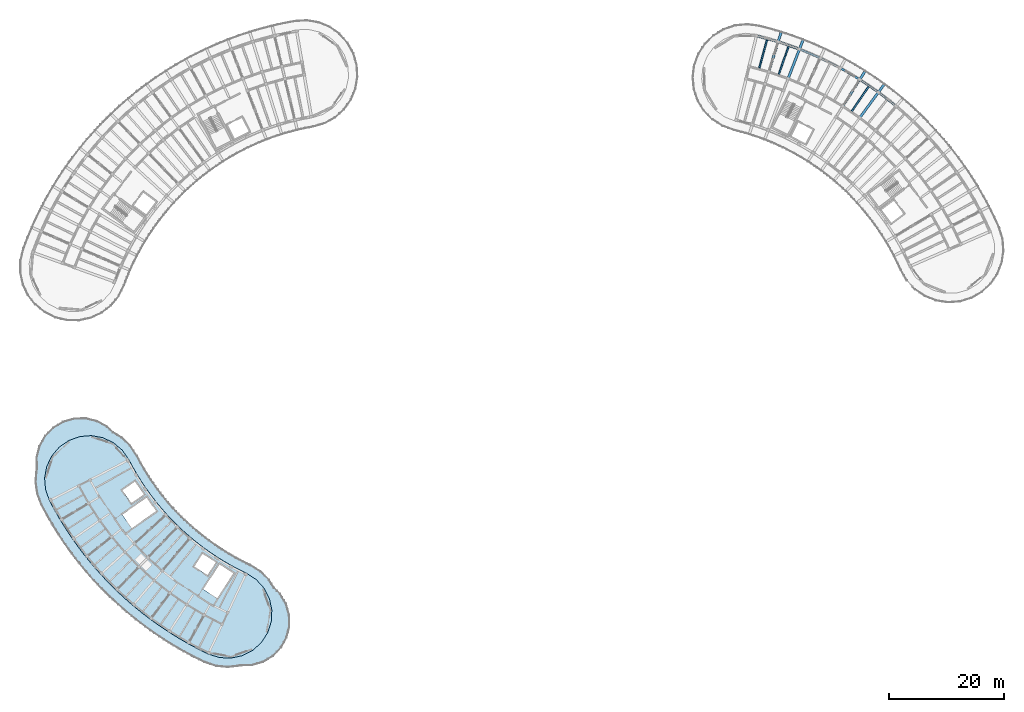
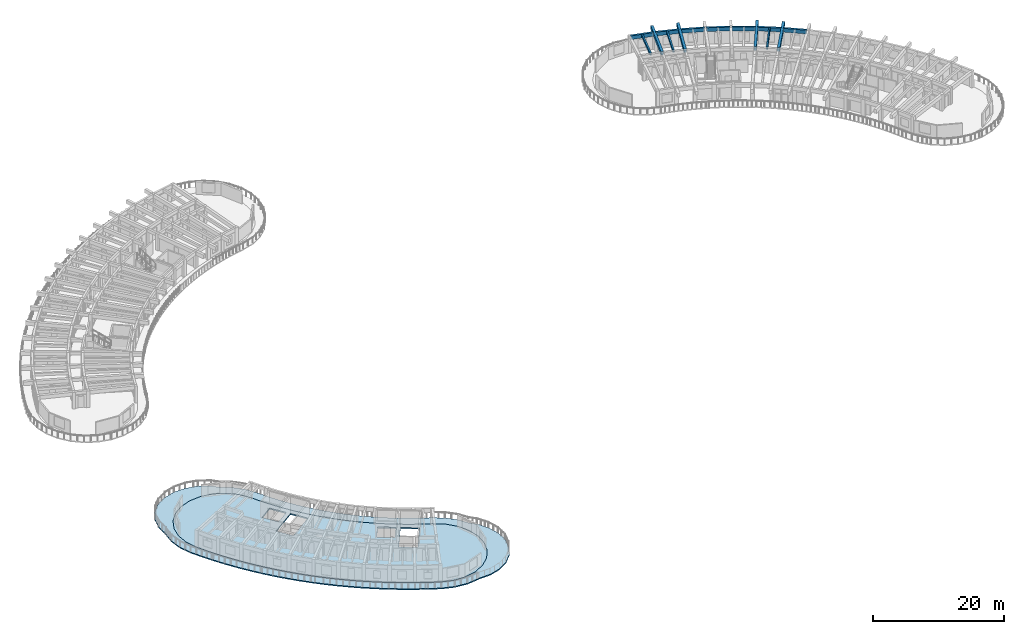
# One storey, part 11 of 41: 14 beams, 2 slabs.
"""IFC4 building model written with IfcOpenShell, lengths in metres."""

from ifc_helpers import new_model, si_unit, direction, frame, origin, origin_2d, place, context, subcontext, project, spatial, polyline, rectangle, outline, extrude, material, layer, layer_set, material_profile, profile_set, type_object, element, save


model = new_model("IFC4")

# Units and contexts
model_context = context("Model", 3, precision=1e-05, world=origin(), true_north=direction((0.0, 1.0)))
body_context = subcontext(model_context, "Body", "Model", "MODEL_VIEW")
ifc_project = project(units=[si_unit("LENGTHUNIT", "METRE"), si_unit("AREAUNIT", "SQUARE_METRE"), si_unit("VOLUMEUNIT", "CUBIC_METRE"), si_unit("PLANEANGLEUNIT", "RADIAN"), si_unit("MASSUNIT", "GRAM", prefix="KILO")], contexts=[model_context])

# Site, building, storey
site_placement = place(None, origin())
site = spatial("IfcSite", under=ifc_project, at=site_placement, CompositionType="ELEMENT")
building_placement = place(site_placement, origin())
building = spatial("IfcBuilding", under=site, at=building_placement, Name="Tanwirah Colonnade Gardens", CompositionType="ELEMENT")
storey_placement = place(building_placement, frame((0.0, 0.0, 35.719970703125)))
storey = spatial("IfcBuildingStorey", under=building, at=storey_placement, Name="L10", CompositionType="ELEMENT", Elevation=35.719970703125)

# Beams
ifc_material_1 = material(Name="Precast concrete C45/55", Category="concrete")
ifc_material_profile_1 = material_profile(ifc_material_1, rectangle(XDim=0.419921875, YDim=0.679931640625, at=origin_2d()), Name="PC-BM 420x680")
ifc_profile_set_1 = profile_set([ifc_material_profile_1], Name="Precast concrete C45/55")
beam_type_1 = type_object("IfcBeamType", Name="BM-PC420", PredefinedType="BEAM", material=ifc_profile_set_1)
for number, where, z_axis, x_axis, name in (
    (1, (153.02783203125, 103.9248046875, 2.775146484375), (0.590919194225, 0.806730751798, 0.0), (-0.806730751798, 0.590919194225, 0.0), "Block B L10 Outer Radial Precast Girder 10"),
    (2, (150.077392578125, 105.93994140625, 2.775146484375), (0.536451921133, 0.843930883611, 0.0), (-0.843930883611, 0.536451921133, 0.0), "Block B L10 Outer Radial Precast Girder 11"),
    (3, (140.521728515625, 110.76220703125, 2.775146484375), (0.360150678391, 0.932894146651, 0.0), (-0.932894146651, 0.360150678391, 0.0), "Block B L10 Outer Radial Precast Girder 14"),
    (4, (137.147705078125, 111.938720703125, 2.775146484375), (0.297957513373, 0.954579132511, 0.0), (-0.954579132511, 0.297957513373, 0.0), "Block B L10 Outer Radial Precast Girder 15"),
):
    element("IfcBeam", number, at=place(storey_placement, frame(where, z_axis=z_axis, x_axis=x_axis)), inside=storey, type_object=beam_type_1, Name=name, PredefinedType="BEAM", context=body_context, shape_type="SweptSolid", body=[
        extrude(rectangle(XDim=0.419921875, YDim=0.679931640625, at=origin_2d()), origin(), (0.0, 0.0, 1.0), 7.050048828125),
    ])
ifc_material_2 = material(Name="Precast concrete C40/50", Category="concrete")
ifc_material_profile_2 = material_profile(ifc_material_2, rectangle(XDim=0.260009765625, YDim=0.4599609375, at=origin_2d()), Name="PC-JST 260x460")
ifc_profile_set_2 = profile_set([ifc_material_profile_2], Name="Precast concrete C40/50")
beam_type_2 = type_object("IfcBeamType", Name="JST-PC260", PredefinedType="JOIST", material=ifc_profile_set_2)
for number, where, z_axis, x_axis, name in (
    (5, (151.55224609375, 104.931884765625, 2.885009765625), (0.563973225998, 0.825793073571, 0.0), (-0.825793073571, 0.563973225998, 0.0), "Block B L10 Precast Floor Joist 10"),
    (6, (138.83447265625, 111.349853515625, 2.885009765625), (0.3292586038, 0.944239785131, 0.0), (-0.944239785131, 0.3292586038, 0.0), "Block B L10 Precast Floor Joist 14"),
    (7, (135.42578125, 112.413818359375, 2.885009765625), (0.266281476085, 0.963895313555, 0.0), (-0.963895313555, 0.266281476085, 0.0), "Block B L10 Precast Floor Joist 15"),
):
    element("IfcBeam", number, at=place(storey_placement, frame(where, z_axis=z_axis, x_axis=x_axis)), inside=storey, type_object=beam_type_2, Name=name, PredefinedType="JOIST", context=body_context, shape_type="SweptSolid", body=[
        extrude(rectangle(XDim=0.260009765625, YDim=0.4599609375, at=origin_2d()), origin(), (0.0, 0.0, 1.0), 5.260009765625),
    ])
ifc_material_profile_3 = material_profile(ifc_material_2, rectangle(XDim=0.3349609375, YDim=0.695068359375, at=origin_2d()), Name="PC-SP 335x695")
ifc_profile_set_3 = profile_set([ifc_material_profile_3], Name="Precast concrete C40/50")
beam_type_3 = type_object("IfcBeamType", Name="SP-PC300", PredefinedType="SPANDREL", material=ifc_profile_set_3)
beam_1_placement = place(storey_placement, frame((159.159912109375, 105.91064453125, 2.767578125), z_axis=(-0.786843799845, 0.617152197311, 0.0), x_axis=(-0.617152197311, -0.786843799845, 0.0)))
element("IfcBeam", 8, at=beam_1_placement, inside=storey, type_object=beam_type_3, Name="Block B L10 Circumferential Beam 9-R3", PredefinedType="SPANDREL", context=body_context, shape_type="SweptSolid", body=[
    extrude(rectangle(XDim=0.3349609375, YDim=0.695068359375, at=origin_2d()), origin(), (0.0, 0.0, 1.0), 3.62548828125),
])
for number, where, z_axis, x_axis, name in (
    (9, (156.0654296875, 108.325439453125, 2.767578125), (-0.825782625102, 0.563988524776, 0.0), (-0.563988524776, -0.825782625102, 0.0), "Block B L10 Circumferential Beam 10-R3"),
    (10, (152.818359375, 110.53125, 2.767578125), (-0.861136912545, 0.5083731089, 0.0), (-0.5083731089, -0.861136912545, 0.0), "Block B L10 Circumferential Beam 11-R3"),
):
    element("IfcBeam", number, at=place(storey_placement, frame(where, z_axis=z_axis, x_axis=x_axis)), inside=storey, type_object=beam_type_3, Name=name, PredefinedType="SPANDREL", context=body_context, shape_type="SweptSolid", body=[
        extrude(rectangle(XDim=0.3349609375, YDim=0.695068359375, at=origin_2d()), origin(), (0.0, 0.0, 1.0), 3.625732421875),
    ])
beam_2_placement = place(storey_placement, frame((149.43310546875, 112.518310546875, 2.767578125), z_axis=(-0.892764670911, 0.450523298368, 0.0), x_axis=(-0.450523298368, -0.892764670911, 0.0)))
element("IfcBeam", 11, at=beam_2_placement, inside=storey, type_object=beam_type_3, Name="Block B L10 Circumferential Beam 12-R3", PredefinedType="SPANDREL", context=body_context, shape_type="SweptSolid", body=[
    extrude(rectangle(XDim=0.3349609375, YDim=0.695068359375, at=origin_2d()), origin(), (0.0, 0.0, 1.0), 3.6259765625),
])
for number, where, z_axis, x_axis, name in (
    (12, (145.924072265625, 114.27783203125, 2.767578125), (-0.920494456807, 0.390755620545, 0.0), (-0.390755620545, -0.920494456807, 0.0), "Block B L10 Circumferential Beam 13-R3"),
    (13, (142.306884765625, 115.802490234375, 2.767578125), (-0.944236700093, 0.329267450863, 0.0), (-0.329267450863, -0.944236700093, 0.0), "Block B L10 Circumferential Beam 14-R3"),
    (14, (138.59716796875, 117.085693359375, 2.767578125), (-0.963888380927, 0.266306569792, 0.0), (-0.266306569792, -0.963888380927, 0.0), "Block B L10 Circumferential Beam 15-R3"),
):
    element("IfcBeam", number, at=place(storey_placement, frame(where, z_axis=z_axis, x_axis=x_axis)), inside=storey, type_object=beam_type_3, Name=name, PredefinedType="SPANDREL", context=body_context, shape_type="SweptSolid", body=[
        extrude(rectangle(XDim=0.3349609375, YDim=0.695068359375, at=origin_2d()), origin(), (0.0, 0.0, 1.0), 3.625732421875),
    ])

# Slabs
ifc_material_3 = material(Name="White architectural precast concrete C40/50", Category="concrete")
ifc_layer_1 = layer(ifc_material_3, 0.18994140625)
ifc_layer_set_1 = layer_set([ifc_layer_1], Name="White architectural precast concrete C40/50")
slab_type_1 = type_object("IfcSlabType", Name="SL-BAL-190", PredefinedType="FLOOR", material=ifc_layer_set_1)
slab_1_placement = place(storey_placement, frame((0.0, 0.0, -0.18994140625)))
element("IfcSlab", 15, at=slab_1_placement, inside=storey, type_object=slab_type_1, Name="Block C L10 Continuous White Balcony Ribbon", PredefinedType="FLOOR", context=body_context, shape_type="SweptSolid", body=[
    extrude(outline(polyline([(22.951171875, 49.07080078125), (21.952392578125, 50.03515625), (20.171630859375, 51.022216796875), (18.19580078125, 51.514892578125), (16.159912109375, 51.4794921875), (14.20263671875, 50.918212890625), (12.457275390625, 49.869384765625), (11.042724609375, 48.40478515625), (10.0556640625, 46.623779296875), (9.56298828125, 44.64794921875), (9.597412109375, 42.671875), (9.553955078125, 42.535888671875), (9.37451171875, 40.438720703125), (9.666015625, 38.35400390625), (10.414306640625, 36.386474609375), (11.363525390625, 34.61572265625), (12.369873046875, 32.876708984375), (13.432861328125, 31.171630859375), (14.55078125, 29.502197265625), (15.722900390625, 27.870361328125), (16.94775390625, 26.277587890625), (18.22412109375, 24.725830078125), (19.550537109375, 23.216796875), (20.92578125, 21.751708984375), (22.347900390625, 20.33251953125), (23.81591796875, 18.960693359375), (25.327880859375, 17.637451171875), (26.882568359375, 16.364501953125), (28.477783203125, 15.143310546875), (30.1123046875, 13.974609375), (31.7841796875, 12.860107421875), (33.491455078125, 11.801025390625), (35.232666015625, 10.79833984375), (37.005615234375, 9.85302734375), (38.80859375, 8.966552734375), (40.801025390625, 8.287353515625), (42.89453125, 8.068603515625), (44.984375, 8.3212890625), (45.11865234375, 8.369384765625), (47.094970703125, 8.404052734375), (49.05224609375, 8.96533203125), (50.797607421875, 10.013916015625), (52.2119140625, 11.478759765625), (53.19921875, 13.259521484375), (53.69189453125, 15.2353515625), (53.65625, 17.271240234375), (53.094970703125, 19.228515625), (52.04638671875, 20.973876953125), (51.047607421875, 21.938232421875), (50.119873046875, 23.388427734375), (48.619384765625, 24.86474609375), (46.828125, 25.97021484375), (45.5771484375, 26.58544921875), (44.34716796875, 27.2412109375), (43.13916015625, 27.93701171875), (41.95458984375, 28.671630859375), (40.794677734375, 29.445068359375), (39.66064453125, 30.255615234375), (38.5537109375, 31.10302734375), (37.47509765625, 31.986328125), (36.426025390625, 32.904296875), (35.407470703125, 33.856201171875), (34.420654296875, 34.8408203125), (33.466796875, 35.857177734375), (32.54638671875, 36.904296875), (31.660888671875, 37.98095703125), (30.81103515625, 39.0859375), (29.997802734375, 40.218017578125), (29.22216796875, 41.37646484375), (28.484619140625, 42.559326171875), (27.786376953125, 43.765869140625), (27.1279296875, 44.99462890625), (25.960693359375, 46.74609375), (24.432861328125, 48.194091796875), (22.951171875, 49.07080078125)]), holes=[polyline([(24.52978515625, 45.92138671875), (25.6884765625, 44.25146484375), (26.37109375, 42.977783203125), (26.371337890625, 42.97705078125), (27.095947265625, 41.725341796875), (27.09619140625, 41.724853515625), (27.861328125, 40.497314453125), (27.86181640625, 40.496826171875), (28.66650390625, 39.294921875), (28.6669921875, 39.29443359375), (29.5107421875, 38.11962890625), (29.51123046875, 38.119140625), (30.392822265625, 36.97265625), (30.393310546875, 36.97216796875), (31.31201171875, 35.85498046875), (31.3125, 35.8544921875), (32.267333984375, 34.76806640625), (32.267822265625, 34.767578125), (33.257568359375, 33.713134765625), (33.258056640625, 33.712646484375), (34.281982421875, 32.69091796875), (34.282470703125, 32.690673828125), (35.339111328125, 31.702880859375), (35.339599609375, 31.70263671875), (36.42822265625, 30.75), (36.4287109375, 30.749755859375), (37.547607421875, 29.833251953125), (37.54833984375, 29.8330078125), (38.69677734375, 28.95361328125), (38.697265625, 28.953369140625), (39.873779296875, 28.112060546875), (39.874267578125, 28.111572265625), (41.077880859375, 27.309326171875), (41.078369140625, 27.30908203125), (42.307373046875, 26.546630859375), (42.30810546875, 26.54638671875), (43.5615234375, 25.824462890625), (43.56201171875, 25.82421875), (44.83837890625, 25.143798828125), (44.8388671875, 25.1435546875), (46.1357421875, 24.505615234375), (47.84521484375, 23.40625), (49.210693359375, 21.90283203125), (50.140625, 20.09716796875), (50.571533203125, 18.112548828125), (50.47412109375, 16.083984375), (49.85498046875, 14.149658203125), (48.75634765625, 12.441650390625), (47.2529296875, 11.076171875), (45.447265625, 10.146240234375), (43.462646484375, 9.71533203125), (41.43408203125, 9.812744140625), (39.498779296875, 10.43212890625), (37.744384765625, 11.294921875), (36.01806640625, 12.21533203125), (34.322998046875, 13.19140625), (32.66064453125, 14.22265625), (31.03271484375, 15.3076171875), (29.44140625, 16.445556640625), (27.88818359375, 17.634521484375), (26.374755859375, 18.8740234375), (24.902587890625, 20.162109375), (23.473388671875, 21.497802734375), (22.088623046875, 22.879638671875), (20.749755859375, 24.305908203125), (19.458251953125, 25.775146484375), (18.215576171875, 27.2861328125), (17.023193359375, 28.836669921875), (15.8818359375, 30.425537109375), (14.79345703125, 32.051025390625), (13.758544921875, 33.7109375), (12.778564453125, 35.404052734375), (11.85498046875, 37.127197265625), (11.16845703125, 39.039794921875), (11.000244140625, 41.063720703125), (11.361572265625, 43.062255859375), (12.22802734375, 44.899169921875), (13.540283203125, 46.44921875), (15.208984375, 47.60693359375), (17.120361328125, 48.293212890625), (19.144287109375, 48.46142578125), (21.142822265625, 48.10009765625), (22.979736328125, 47.233642578125), (24.52978515625, 45.92138671875)])]), origin(), (0.0, 0.0, 1.0), 0.18994140625),
])
ifc_layer_2 = layer(ifc_material_2, 0.2451171875)
ifc_layer_set_2 = layer_set([ifc_layer_2], Name="Precast concrete C40/50")
slab_type_2 = type_object("IfcSlabType", Name="SL-RES-245", PredefinedType="FLOOR", material=ifc_layer_set_2)
slab_2_placement = place(storey_placement, frame((0.0, 0.0, -0.244873046875)))
element("IfcSlab", 16, at=slab_2_placement, inside=storey, type_object=slab_type_2, Name="Block C L10 Precast Composite Floor Slab", PredefinedType="FLOOR", context=body_context, shape_type="SweptSolid", body=[
    extrude(outline(polyline([(27.11328125, 41.7353515625), (26.388671875, 42.987060546875), (25.705322265625, 44.261962890625), (24.544921875, 45.93505859375), (22.99072265625, 47.250732421875), (21.149169921875, 48.119140625), (19.145263671875, 48.481689453125), (17.1162109375, 48.31298828125), (15.19970703125, 47.625), (13.526611328125, 46.46435546875), (12.2109375, 44.91015625), (11.342529296875, 43.068603515625), (10.97998046875, 41.064697265625), (11.148681640625, 39.03564453125), (11.836669921875, 37.119140625), (12.76123046875, 35.394287109375), (13.741455078125, 33.70068359375), (14.776611328125, 32.0400390625), (15.865478515625, 30.414306640625), (17.007080078125, 28.82470703125), (18.199951171875, 27.273681640625), (19.443115234375, 25.76220703125), (20.73486328125, 24.29248046875), (22.07421875, 22.86572265625), (23.45947265625, 21.4833984375), (24.88916015625, 20.1474609375), (26.36181640625, 18.858642578125), (27.875732421875, 17.618896484375), (29.4296875, 16.429443359375), (31.021484375, 15.291259765625), (32.649658203125, 14.205810546875), (34.312744140625, 13.17431640625), (36.00830078125, 12.19775390625), (37.735107421875, 11.277099609375), (39.4912109375, 10.41357421875), (41.430419921875, 9.792724609375), (43.46435546875, 9.695068359375), (45.4541015625, 10.127197265625), (47.264404296875, 11.0595703125), (48.771728515625, 12.428466796875), (49.873291015625, 14.14111328125), (50.493896484375, 16.080322265625), (50.591552734375, 18.1142578125), (50.15966796875, 20.10400390625), (49.227294921875, 21.914306640625), (47.858154296875, 23.421630859375), (46.145751953125, 24.523193359375), (44.84765625, 25.161376953125), (43.571533203125, 25.841796875), (42.318115234375, 26.563720703125), (41.0888671875, 27.326171875), (39.885498046875, 28.12841796875), (38.708740234375, 28.969482421875), (37.560302734375, 29.848876953125), (36.44140625, 30.76513671875), (35.352783203125, 31.717529296875), (34.296142578125, 32.705078125), (33.272216796875, 33.726806640625), (32.282470703125, 34.781494140625), (31.327392578125, 35.86767578125), (30.40869140625, 36.98486328125), (29.52685546875, 38.13134765625), (28.68310546875, 39.30615234375), (27.87841796875, 40.5078125), (27.11328125, 41.7353515625)]), holes=[polyline([(24.5185546875, 34.71044921875), (28.775634765625, 37.69140625), (30.447021484375, 35.30419921875), (26.18994140625, 32.323486328125), (24.5185546875, 34.71044921875)]), polyline([(26.737060546875, 40.515869140625), (28.343017578125, 38.22216796875), (26.13134765625, 36.673583984375), (24.525390625, 38.967041015625), (26.737060546875, 40.515869140625)]), polyline([(43.900146484375, 24.486572265625), (41.069580078125, 20.1279296875), (38.625732421875, 21.715087890625), (41.4560546875, 26.073486328125), (43.900146484375, 24.486572265625)]), polyline([(39.385498046875, 24.13916015625), (37.037353515625, 25.664306640625), (38.5078125, 27.9287109375), (40.856201171875, 26.403564453125), (39.385498046875, 24.13916015625)])]), origin(), (0.0, 0.0, 1.0), 0.244873046875),
])

save(model, "model.ifc")
